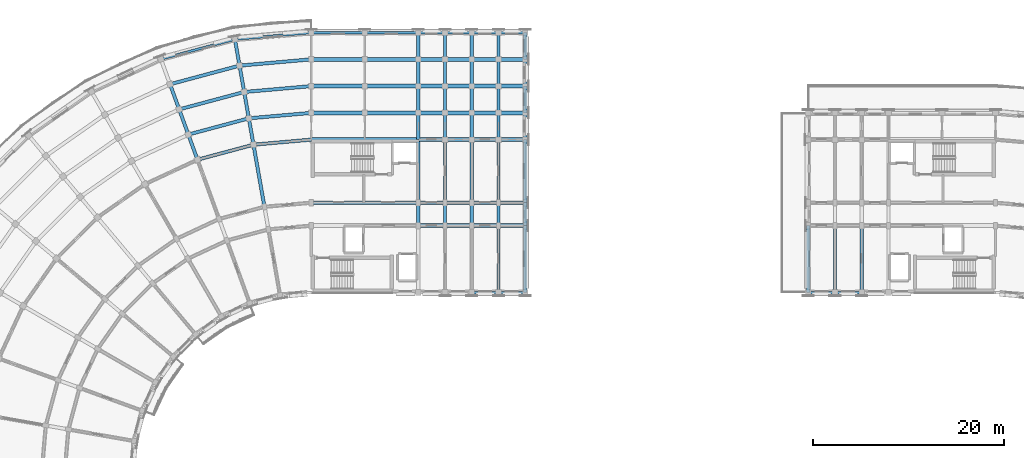
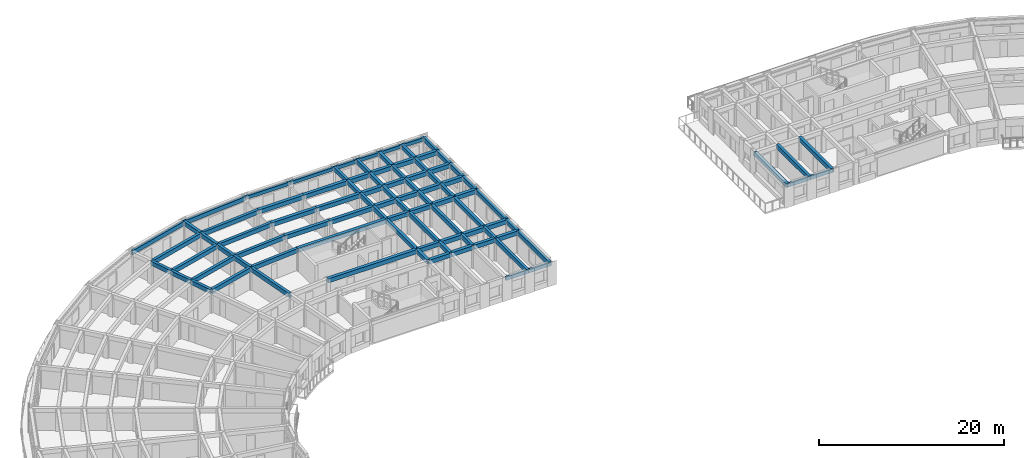
# One storey, part 5 of 36: 95 beams.
"""IFC4 building model written with IfcOpenShell, lengths in metres."""

from ifc_helpers import new_model, si_unit, direction, frame, origin, origin_2d, place, context, subcontext, project, spatial, rectangle, extrude, material, material_profile, profile_set, type_object, element, save


model = new_model("IFC4")

# Units and contexts
model_context = context("Model", 3, precision=1e-05, world=origin(), true_north=direction((0.0, 1.0)))
body_context = subcontext(model_context, "Body", "Model", "MODEL_VIEW")
ifc_project = project(units=[si_unit("LENGTHUNIT", "METRE"), si_unit("AREAUNIT", "SQUARE_METRE"), si_unit("VOLUMEUNIT", "CUBIC_METRE"), si_unit("PLANEANGLEUNIT", "RADIAN"), si_unit("MASSUNIT", "GRAM", prefix="KILO")], contexts=[model_context])

# Site, building, storey
site_placement = place(None, origin())
site = spatial("IfcSite", under=ifc_project, at=site_placement, CompositionType="ELEMENT")
building_placement = place(site_placement, origin())
building = spatial("IfcBuilding", under=site, at=building_placement, Name="Kiranvali Square Residences", CompositionType="ELEMENT")
storey_placement = place(building_placement, frame((0.0, 0.0, 37.050048828125)))
storey = spatial("IfcBuildingStorey", under=building, at=storey_placement, Name="L11", CompositionType="ELEMENT", Elevation=37.050048828125)

# Beams
ifc_material_1 = material(Name="Concrete M40 (40 MPa)", Category="concrete")
ifc_material_profile_1 = material_profile(ifc_material_1, rectangle(XDim=0.35009765625, YDim=0.550048828125, at=origin_2d()), Name="RC 350x550")
ifc_profile_set_1 = profile_set([ifc_material_profile_1], Name="Concrete M40 (40 MPa)")
beam_type_1 = type_object("IfcBeamType", Name="BM-M40-350x550", PredefinedType="BEAM", material=ifc_profile_set_1)
beam_1_placement = place(storey_placement, frame((48.199951171875, 122.60009765625, 2.655029296875), z_axis=(-0.996193018494, -0.087174938512, 0.0), x_axis=(0.087174938512, -0.996193018494, 0.0)))
element("IfcBeam", 1, at=beam_1_placement, inside=storey, type_object=beam_type_1, Name="L11 beam BM-A-L11-C00-R3", PredefinedType="BEAM", context=body_context, shape_type="SweptSolid", body=[
    extrude(rectangle(XDim=0.35009765625, YDim=0.550048828125, at=origin_2d()), origin(), (0.0, 0.0, 1.0), 6.066162109375),
])
beam_2_placement = place(storey_placement, frame((48.199951171875, 125.39990234375, 2.655029296875), z_axis=(-0.996196991902, -0.0871295204, 0.0), x_axis=(0.0871295204, -0.996196991902, 0.0)))
element("IfcBeam", 2, at=beam_2_placement, inside=storey, type_object=beam_type_1, Name="L11 beam BM-A-L11-C00-R4", PredefinedType="BEAM", context=body_context, shape_type="SweptSolid", body=[
    extrude(rectangle(XDim=0.35009765625, YDim=0.550048828125, at=origin_2d()), origin(), (0.0, 0.0, 1.0), 6.553955078125),
])
beam_3_placement = place(storey_placement, frame((48.199951171875, 128.199951171875, 2.655029296875), z_axis=(-0.996194658198, -0.087156198737, 0.0), x_axis=(0.087156198737, -0.996194658198, 0.0)))
element("IfcBeam", 3, at=beam_3_placement, inside=storey, type_object=beam_type_1, Name="L11 beam BM-A-L11-C00-R5", PredefinedType="BEAM", context=body_context, shape_type="SweptSolid", body=[
    extrude(rectangle(XDim=0.35009765625, YDim=0.550048828125, at=origin_2d()), origin(), (0.0, 0.0, 1.0), 7.042236328125),
])
beam_4_placement = place(storey_placement, frame((48.199951171875, 131.0, 2.655029296875), z_axis=(-0.996195195417, -0.087150058103, 0.0), x_axis=(0.087150058103, -0.996195195417, 0.0)))
element("IfcBeam", 4, at=beam_4_placement, inside=storey, type_object=beam_type_1, Name="L11 beam BM-A-L11-C00-R6", PredefinedType="BEAM", context=body_context, shape_type="SweptSolid", body=[
    extrude(rectangle(XDim=0.35009765625, YDim=0.550048828125, at=origin_2d()), origin(), (0.0, 0.0, 1.0), 7.530029296875),
])
beam_5_placement = place(storey_placement, frame((42.156982421875, 122.0712890625, 2.655029296875), z_axis=(-0.965923618901, -0.258827283048, 0.0), x_axis=(0.258827283048, -0.965923618901, 0.0)))
element("IfcBeam", 5, at=beam_5_placement, inside=storey, type_object=beam_type_1, Name="L11 beam BM-A-L11-C01-R3", PredefinedType="BEAM", context=body_context, shape_type="SweptSolid", body=[
    extrude(rectangle(XDim=0.35009765625, YDim=0.550048828125, at=origin_2d()), origin(), (0.0, 0.0, 1.0), 6.066162109375),
])
beam_6_placement = place(storey_placement, frame((41.6708984375, 124.828857421875, 2.655029296875), z_axis=(-0.965918287583, -0.258847178297, 0.0), x_axis=(0.258847178297, -0.965918287583, 0.0)))
element("IfcBeam", 6, at=beam_6_placement, inside=storey, type_object=beam_type_1, Name="L11 beam BM-A-L11-C01-R4", PredefinedType="BEAM", context=body_context, shape_type="SweptSolid", body=[
    extrude(rectangle(XDim=0.35009765625, YDim=0.550048828125, at=origin_2d()), origin(), (0.0, 0.0, 1.0), 6.55419921875),
])
beam_7_placement = place(storey_placement, frame((41.1845703125, 127.586181640625, 2.655029296875), z_axis=(-0.965931029817, -0.258799624492, 0.0), x_axis=(0.258799624492, -0.965931029817, 0.0)))
element("IfcBeam", 7, at=beam_7_placement, inside=storey, type_object=beam_type_1, Name="L11 beam BM-A-L11-C01-R5", PredefinedType="BEAM", context=body_context, shape_type="SweptSolid", body=[
    extrude(rectangle(XDim=0.35009765625, YDim=0.550048828125, at=origin_2d()), origin(), (0.0, 0.0, 1.0), 7.042236328125),
])
beam_8_placement = place(storey_placement, frame((40.698486328125, 130.34375, 2.655029296875), z_axis=(-0.965925909693, -0.258818733833, 0.0), x_axis=(0.258818733833, -0.965925909693, 0.0)))
element("IfcBeam", 8, at=beam_8_placement, inside=storey, type_object=beam_type_1, Name="L11 beam BM-A-L11-C01-R6", PredefinedType="BEAM", context=body_context, shape_type="SweptSolid", body=[
    extrude(rectangle(XDim=0.35009765625, YDim=0.550048828125, at=origin_2d()), origin(), (0.0, 0.0, 1.0), 7.5302734375),
])
beam_9_placement = place(storey_placement, frame((43.30322265625, 115.571533203125, 2.655029296875), z_axis=(-0.173671381499, 0.984803661269, 0.0), x_axis=(-0.984803661269, -0.173671381499, 0.0)))
element("IfcBeam", 9, at=beam_9_placement, inside=storey, type_object=beam_type_1, Name="L11 beam BM-A-L11-RAD01-23", PredefinedType="BEAM", context=body_context, shape_type="SweptSolid", body=[
    extrude(rectangle(XDim=0.35009765625, YDim=0.550048828125, at=origin_2d()), origin(), (0.0, 0.0, 1.0), 6.60009765625),
])
beam_10_placement = place(storey_placement, frame((42.156982421875, 122.0712890625, 2.655029296875), z_axis=(-0.173596320392, 0.984816895441, 0.0), x_axis=(-0.984816895441, -0.173596320392, 0.0)))
element("IfcBeam", 10, at=beam_10_placement, inside=storey, type_object=beam_type_1, Name="L11 beam BM-A-L11-RAD01-34", PredefinedType="BEAM", context=body_context, shape_type="SweptSolid", body=[
    extrude(rectangle(XDim=0.35009765625, YDim=0.550048828125, at=origin_2d()), origin(), (0.0, 0.0, 1.0), 2.800048828125),
])
beam_11_placement = place(storey_placement, frame((41.6708984375, 124.828857421875, 2.655029296875), z_axis=(-0.173695795656, 0.984799355489, 0.0), x_axis=(-0.984799355489, -0.173695795656, 0.0)))
element("IfcBeam", 11, at=beam_11_placement, inside=storey, type_object=beam_type_1, Name="L11 beam BM-A-L11-RAD01-45", PredefinedType="BEAM", context=body_context, shape_type="SweptSolid", body=[
    extrude(rectangle(XDim=0.35009765625, YDim=0.550048828125, at=origin_2d()), origin(), (0.0, 0.0, 1.0), 2.7998046875),
])
beam_12_placement = place(storey_placement, frame((41.1845703125, 127.586181640625, 2.655029296875), z_axis=(-0.173596320392, 0.984816895441, 0.0), x_axis=(-0.984816895441, -0.173596320392, 0.0)))
element("IfcBeam", 12, at=beam_12_placement, inside=storey, type_object=beam_type_1, Name="L11 beam BM-A-L11-RAD01-56", PredefinedType="BEAM", context=body_context, shape_type="SweptSolid", body=[
    extrude(rectangle(XDim=0.35009765625, YDim=0.550048828125, at=origin_2d()), origin(), (0.0, 0.0, 1.0), 2.800048828125),
])
for number, where, z_axis, x_axis, name in (
    (13, (40.698486328125, 130.34375, 2.695068359375), (-0.173695795656, 0.984799355489, 0.0), (-0.984799355489, -0.173695795656, 0.0), "L11 beam BM-A-L11-RAD01-67"),
    (14, (36.297607421875, 120.501220703125, 2.655029296875), (-0.341981089711, 0.93970683422, 0.0), (-0.93970683422, -0.341981089711, 0.0), "L11 beam BM-A-L11-RAD02-34"),
):
    element("IfcBeam", number, at=place(storey_placement, frame(where, z_axis=z_axis, x_axis=x_axis)), inside=storey, type_object=beam_type_1, Name=name, PredefinedType="BEAM", context=body_context, shape_type="SweptSolid", body=[
        extrude(rectangle(XDim=0.35009765625, YDim=0.550048828125, at=origin_2d()), origin(), (0.0, 0.0, 1.0), 2.7998046875),
    ])
beam_13_placement = place(storey_placement, frame((35.340087890625, 123.13232421875, 2.655029296875), z_axis=(-0.342030060398, 0.939689011208, 0.0), x_axis=(-0.939689011208, -0.342030060398, 0.0)))
element("IfcBeam", 15, at=beam_13_placement, inside=storey, type_object=beam_type_1, Name="L11 beam BM-A-L11-RAD02-45", PredefinedType="BEAM", context=body_context, shape_type="SweptSolid", body=[
    extrude(rectangle(XDim=0.35009765625, YDim=0.550048828125, at=origin_2d()), origin(), (0.0, 0.0, 1.0), 2.80029296875),
])
beam_14_placement = place(storey_placement, frame((34.38232421875, 125.763671875, 2.655029296875), z_axis=(-0.341981089711, 0.93970683422, 0.0), x_axis=(-0.93970683422, -0.341981089711, 0.0)))
element("IfcBeam", 16, at=beam_14_placement, inside=storey, type_object=beam_type_1, Name="L11 beam BM-A-L11-RAD02-56", PredefinedType="BEAM", context=body_context, shape_type="SweptSolid", body=[
    extrude(rectangle(XDim=0.35009765625, YDim=0.550048828125, at=origin_2d()), origin(), (0.0, 0.0, 1.0), 2.7998046875),
])
beam_15_placement = place(storey_placement, frame((59.39990234375, 113.60009765625, 2.655029296875), z_axis=(0.0, 1.0, 0.0), x_axis=(-1.0, 0.0, 0.0)))
element("IfcBeam", 17, at=beam_15_placement, inside=storey, type_object=beam_type_1, Name="L11 beam BM-A-L11-A1T1-12", PredefinedType="BEAM", context=body_context, shape_type="SweptSolid", body=[
    extrude(rectangle(XDim=0.35009765625, YDim=0.550048828125, at=origin_2d()), origin(), (0.0, 0.0, 1.0), 2.39990234375),
])
beam_16_placement = place(storey_placement, frame((59.39990234375, 116.0, 2.655029296875), z_axis=(0.0, 1.0, 0.0), x_axis=(-1.0, 0.0, 0.0)))
element("IfcBeam", 18, at=beam_16_placement, inside=storey, type_object=beam_type_1, Name="L11 beam BM-A-L11-A1T1-23", PredefinedType="BEAM", context=body_context, shape_type="SweptSolid", body=[
    extrude(rectangle(XDim=0.35009765625, YDim=0.550048828125, at=origin_2d()), origin(), (0.0, 0.0, 1.0), 6.60009765625),
])
beam_17_placement = place(storey_placement, frame((59.39990234375, 122.60009765625, 2.655029296875), z_axis=(0.0, 1.0, 0.0), x_axis=(-1.0, 0.0, 0.0)))
element("IfcBeam", 19, at=beam_17_placement, inside=storey, type_object=beam_type_1, Name="L11 beam BM-A-L11-A1T1-34", PredefinedType="BEAM", context=body_context, shape_type="SweptSolid", body=[
    extrude(rectangle(XDim=0.35009765625, YDim=0.550048828125, at=origin_2d()), origin(), (0.0, 0.0, 1.0), 2.7998046875),
])
for number, where, z_axis, x_axis, name in (
    (20, (59.39990234375, 125.39990234375, 2.655029296875), (0.0, 1.0, 0.0), (-1.0, 0.0, 0.0), "L11 beam BM-A-L11-A1T1-45"),
    (21, (59.39990234375, 128.199951171875, 2.655029296875), (0.0, 1.0, 0.0), (-1.0, 0.0, 0.0), "L11 beam BM-A-L11-A1T1-56"),
    (22, (59.39990234375, 131.0, 2.695068359375), (0.0, 1.0, 0.0), (-1.0, 0.0, 0.0), "L11 beam BM-A-L11-A1T1-67"),
):
    element("IfcBeam", number, at=place(storey_placement, frame(where, z_axis=z_axis, x_axis=x_axis)), inside=storey, type_object=beam_type_1, Name=name, PredefinedType="BEAM", context=body_context, shape_type="SweptSolid", body=[
        extrude(rectangle(XDim=0.35009765625, YDim=0.550048828125, at=origin_2d()), origin(), (0.0, 0.0, 1.0), 2.800048828125),
    ])
beam_18_placement = place(storey_placement, frame((62.199951171875, 113.60009765625, 2.655029296875), z_axis=(0.0, 1.0, 0.0), x_axis=(-1.0, 0.0, 0.0)))
element("IfcBeam", 23, at=beam_18_placement, inside=storey, type_object=beam_type_1, Name="L11 beam BM-A-L11-A1T2-12", PredefinedType="BEAM", context=body_context, shape_type="SweptSolid", body=[
    extrude(rectangle(XDim=0.35009765625, YDim=0.550048828125, at=origin_2d()), origin(), (0.0, 0.0, 1.0), 2.39990234375),
])
beam_19_placement = place(storey_placement, frame((62.199951171875, 116.0, 2.655029296875), z_axis=(0.0, 1.0, 0.0), x_axis=(-1.0, 0.0, 0.0)))
element("IfcBeam", 24, at=beam_19_placement, inside=storey, type_object=beam_type_1, Name="L11 beam BM-A-L11-A1T2-23", PredefinedType="BEAM", context=body_context, shape_type="SweptSolid", body=[
    extrude(rectangle(XDim=0.35009765625, YDim=0.550048828125, at=origin_2d()), origin(), (0.0, 0.0, 1.0), 6.60009765625),
])
beam_20_placement = place(storey_placement, frame((62.199951171875, 122.60009765625, 2.655029296875), z_axis=(0.0, 1.0, 0.0), x_axis=(-1.0, 0.0, 0.0)))
element("IfcBeam", 25, at=beam_20_placement, inside=storey, type_object=beam_type_1, Name="L11 beam BM-A-L11-A1T2-34", PredefinedType="BEAM", context=body_context, shape_type="SweptSolid", body=[
    extrude(rectangle(XDim=0.35009765625, YDim=0.550048828125, at=origin_2d()), origin(), (0.0, 0.0, 1.0), 2.7998046875),
])
for number, where, z_axis, x_axis, name in (
    (26, (62.199951171875, 125.39990234375, 2.655029296875), (0.0, 1.0, 0.0), (-1.0, 0.0, 0.0), "L11 beam BM-A-L11-A1T2-45"),
    (27, (62.199951171875, 128.199951171875, 2.655029296875), (0.0, 1.0, 0.0), (-1.0, 0.0, 0.0), "L11 beam BM-A-L11-A1T2-56"),
    (28, (62.199951171875, 131.0, 2.695068359375), (0.0, 1.0, 0.0), (-1.0, 0.0, 0.0), "L11 beam BM-A-L11-A1T2-67"),
):
    element("IfcBeam", number, at=place(storey_placement, frame(where, z_axis=z_axis, x_axis=x_axis)), inside=storey, type_object=beam_type_1, Name=name, PredefinedType="BEAM", context=body_context, shape_type="SweptSolid", body=[
        extrude(rectangle(XDim=0.35009765625, YDim=0.550048828125, at=origin_2d()), origin(), (0.0, 0.0, 1.0), 2.800048828125),
    ])
beam_21_placement = place(storey_placement, frame((65.0, 113.60009765625, 2.655029296875), z_axis=(0.0, 1.0, 0.0), x_axis=(-1.0, 0.0, 0.0)))
element("IfcBeam", 29, at=beam_21_placement, inside=storey, type_object=beam_type_1, Name="L11 beam BM-A-L11-A1T3-12", PredefinedType="BEAM", context=body_context, shape_type="SweptSolid", body=[
    extrude(rectangle(XDim=0.35009765625, YDim=0.550048828125, at=origin_2d()), origin(), (0.0, 0.0, 1.0), 2.39990234375),
])
beam_22_placement = place(storey_placement, frame((65.0, 116.0, 2.655029296875), z_axis=(0.0, 1.0, 0.0), x_axis=(-1.0, 0.0, 0.0)))
element("IfcBeam", 30, at=beam_22_placement, inside=storey, type_object=beam_type_1, Name="L11 beam BM-A-L11-A1T3-23", PredefinedType="BEAM", context=body_context, shape_type="SweptSolid", body=[
    extrude(rectangle(XDim=0.35009765625, YDim=0.550048828125, at=origin_2d()), origin(), (0.0, 0.0, 1.0), 6.60009765625),
])
beam_23_placement = place(storey_placement, frame((65.0, 122.60009765625, 2.655029296875), z_axis=(0.0, 1.0, 0.0), x_axis=(-1.0, 0.0, 0.0)))
element("IfcBeam", 31, at=beam_23_placement, inside=storey, type_object=beam_type_1, Name="L11 beam BM-A-L11-A1T3-34", PredefinedType="BEAM", context=body_context, shape_type="SweptSolid", body=[
    extrude(rectangle(XDim=0.35009765625, YDim=0.550048828125, at=origin_2d()), origin(), (0.0, 0.0, 1.0), 2.7998046875),
])
for number, where, z_axis, x_axis, name in (
    (32, (65.0, 125.39990234375, 2.655029296875), (0.0, 1.0, 0.0), (-1.0, 0.0, 0.0), "L11 beam BM-A-L11-A1T3-45"),
    (33, (65.0, 128.199951171875, 2.655029296875), (0.0, 1.0, 0.0), (-1.0, 0.0, 0.0), "L11 beam BM-A-L11-A1T3-56"),
    (34, (65.0, 131.0, 2.695068359375), (0.0, 1.0, 0.0), (-1.0, 0.0, 0.0), "L11 beam BM-A-L11-A1T3-67"),
):
    element("IfcBeam", number, at=place(storey_placement, frame(where, z_axis=z_axis, x_axis=x_axis)), inside=storey, type_object=beam_type_1, Name=name, PredefinedType="BEAM", context=body_context, shape_type="SweptSolid", body=[
        extrude(rectangle(XDim=0.35009765625, YDim=0.550048828125, at=origin_2d()), origin(), (0.0, 0.0, 1.0), 2.800048828125),
    ])
beam_24_placement = place(storey_placement, frame((67.800048828125, 106.60009765625, 2.655029296875), z_axis=(0.0, 1.0, 0.0), x_axis=(-1.0, 0.0, 0.0)))
element("IfcBeam", 35, at=beam_24_placement, inside=storey, type_object=beam_type_1, Name="L11 beam BM-A-L11-A1T4-01", PredefinedType="BEAM", context=body_context, shape_type="SweptSolid", body=[
    extrude(rectangle(XDim=0.35009765625, YDim=0.550048828125, at=origin_2d()), origin(), (0.0, 0.0, 1.0), 7.0),
])
beam_25_placement = place(storey_placement, frame((67.800048828125, 113.60009765625, 2.655029296875), z_axis=(0.0, 1.0, 0.0), x_axis=(-1.0, 0.0, 0.0)))
element("IfcBeam", 36, at=beam_25_placement, inside=storey, type_object=beam_type_1, Name="L11 beam BM-A-L11-A1T4-12", PredefinedType="BEAM", context=body_context, shape_type="SweptSolid", body=[
    extrude(rectangle(XDim=0.35009765625, YDim=0.550048828125, at=origin_2d()), origin(), (0.0, 0.0, 1.0), 2.39990234375),
])
beam_26_placement = place(storey_placement, frame((67.800048828125, 116.0, 2.655029296875), z_axis=(0.0, 1.0, 0.0), x_axis=(-1.0, 0.0, 0.0)))
element("IfcBeam", 37, at=beam_26_placement, inside=storey, type_object=beam_type_1, Name="L11 beam BM-A-L11-A1T4-23", PredefinedType="BEAM", context=body_context, shape_type="SweptSolid", body=[
    extrude(rectangle(XDim=0.35009765625, YDim=0.550048828125, at=origin_2d()), origin(), (0.0, 0.0, 1.0), 6.60009765625),
])
beam_27_placement = place(storey_placement, frame((67.800048828125, 122.60009765625, 2.655029296875), z_axis=(0.0, 1.0, 0.0), x_axis=(-1.0, 0.0, 0.0)))
element("IfcBeam", 38, at=beam_27_placement, inside=storey, type_object=beam_type_1, Name="L11 beam BM-A-L11-A1T4-34", PredefinedType="BEAM", context=body_context, shape_type="SweptSolid", body=[
    extrude(rectangle(XDim=0.35009765625, YDim=0.550048828125, at=origin_2d()), origin(), (0.0, 0.0, 1.0), 2.7998046875),
])
for number, where, z_axis, x_axis, name in (
    (39, (67.800048828125, 125.39990234375, 2.655029296875), (0.0, 1.0, 0.0), (-1.0, 0.0, 0.0), "L11 beam BM-A-L11-A1T4-45"),
    (40, (67.800048828125, 128.199951171875, 2.655029296875), (0.0, 1.0, 0.0), (-1.0, 0.0, 0.0), "L11 beam BM-A-L11-A1T4-56"),
    (41, (67.800048828125, 131.0, 2.695068359375), (0.0, 1.0, 0.0), (-1.0, 0.0, 0.0), "L11 beam BM-A-L11-A1T4-67"),
):
    element("IfcBeam", number, at=place(storey_placement, frame(where, z_axis=z_axis, x_axis=x_axis)), inside=storey, type_object=beam_type_1, Name=name, PredefinedType="BEAM", context=body_context, shape_type="SweptSolid", body=[
        extrude(rectangle(XDim=0.35009765625, YDim=0.550048828125, at=origin_2d()), origin(), (0.0, 0.0, 1.0), 2.800048828125),
    ])
beam_28_placement = place(storey_placement, frame((70.60009765625, 106.60009765625, 2.655029296875), z_axis=(0.0, 1.0, 0.0), x_axis=(-1.0, 0.0, 0.0)))
element("IfcBeam", 42, at=beam_28_placement, inside=storey, type_object=beam_type_1, Name="L11 beam BM-A-L11-A1T5-01", PredefinedType="BEAM", context=body_context, shape_type="SweptSolid", body=[
    extrude(rectangle(XDim=0.35009765625, YDim=0.550048828125, at=origin_2d()), origin(), (0.0, 0.0, 1.0), 7.0),
])
beam_29_placement = place(storey_placement, frame((70.60009765625, 113.60009765625, 2.655029296875), z_axis=(0.0, 1.0, 0.0), x_axis=(-1.0, 0.0, 0.0)))
element("IfcBeam", 43, at=beam_29_placement, inside=storey, type_object=beam_type_1, Name="L11 beam BM-A-L11-A1T5-12", PredefinedType="BEAM", context=body_context, shape_type="SweptSolid", body=[
    extrude(rectangle(XDim=0.35009765625, YDim=0.550048828125, at=origin_2d()), origin(), (0.0, 0.0, 1.0), 2.39990234375),
])
beam_30_placement = place(storey_placement, frame((70.60009765625, 116.0, 2.655029296875), z_axis=(0.0, 1.0, 0.0), x_axis=(-1.0, 0.0, 0.0)))
element("IfcBeam", 44, at=beam_30_placement, inside=storey, type_object=beam_type_1, Name="L11 beam BM-A-L11-A1T5-23", PredefinedType="BEAM", context=body_context, shape_type="SweptSolid", body=[
    extrude(rectangle(XDim=0.35009765625, YDim=0.550048828125, at=origin_2d()), origin(), (0.0, 0.0, 1.0), 6.60009765625),
])
beam_31_placement = place(storey_placement, frame((70.60009765625, 122.60009765625, 2.655029296875), z_axis=(0.0, 1.0, 0.0), x_axis=(-1.0, 0.0, 0.0)))
element("IfcBeam", 45, at=beam_31_placement, inside=storey, type_object=beam_type_1, Name="L11 beam BM-A-L11-A1T5-34", PredefinedType="BEAM", context=body_context, shape_type="SweptSolid", body=[
    extrude(rectangle(XDim=0.35009765625, YDim=0.550048828125, at=origin_2d()), origin(), (0.0, 0.0, 1.0), 2.7998046875),
])
for number, where, z_axis, x_axis, name in (
    (46, (70.60009765625, 125.39990234375, 2.655029296875), (0.0, 1.0, 0.0), (-1.0, 0.0, 0.0), "L11 beam BM-A-L11-A1T5-45"),
    (47, (70.60009765625, 128.199951171875, 2.655029296875), (0.0, 1.0, 0.0), (-1.0, 0.0, 0.0), "L11 beam BM-A-L11-A1T5-56"),
    (48, (70.60009765625, 131.0, 2.695068359375), (0.0, 1.0, 0.0), (-1.0, 0.0, 0.0), "L11 beam BM-A-L11-A1T5-67"),
):
    element("IfcBeam", number, at=place(storey_placement, frame(where, z_axis=z_axis, x_axis=x_axis)), inside=storey, type_object=beam_type_1, Name=name, PredefinedType="BEAM", context=body_context, shape_type="SweptSolid", body=[
        extrude(rectangle(XDim=0.35009765625, YDim=0.550048828125, at=origin_2d()), origin(), (0.0, 0.0, 1.0), 2.800048828125),
    ])
for number, where, z_axis, x_axis, name in (
    (49, (105.800048828125, 106.60009765625, 2.655029296875), (0.0, 1.0, 0.0), (-1.0, 0.0, 0.0), "L11 beam BM-B-L11-A1T2-01"),
    (50, (103.0, 106.60009765625, 2.655029296875), (0.0, 1.0, 0.0), (-1.0, 0.0, 0.0), "L11 beam BM-B-L11-A1T3-01"),
    (51, (100.199951171875, 106.60009765625, 2.655029296875), (0.0, 1.0, 0.0), (-1.0, 0.0, 0.0), "L11 beam BM-B-L11-A1T4-01"),
):
    element("IfcBeam", number, at=place(storey_placement, frame(where, z_axis=z_axis, x_axis=x_axis)), inside=storey, type_object=beam_type_1, Name=name, PredefinedType="BEAM", context=body_context, shape_type="SweptSolid", body=[
        extrude(rectangle(XDim=0.35009765625, YDim=0.550048828125, at=origin_2d()), origin(), (0.0, 0.0, 1.0), 7.0),
    ])
ifc_material_2 = material(Name="Concrete M45 (45 MPa)", Category="concrete")
ifc_material_profile_2 = material_profile(ifc_material_2, rectangle(XDim=0.39990234375, YDim=0.550048828125, at=origin_2d()), Name="RC 400x550")
ifc_profile_set_2 = profile_set([ifc_material_profile_2], Name="Concrete M45 (45 MPa)")
beam_type_2 = type_object("IfcBeamType", Name="BM-M45-400x550", PredefinedType="BEAM", material=ifc_profile_set_2)
for number, where, z_axis, x_axis, name in (
    (52, (59.39990234375, 113.60009765625, 2.655029296875), (1.0, 0.0, 0.0), (0.0, 1.0, 0.0), "L11 beam BM-A-L11-A1U1-R1"),
    (53, (62.199951171875, 113.60009765625, 2.655029296875), (1.0, 0.0, 0.0), (0.0, 1.0, 0.0), "L11 beam BM-A-L11-A1U2-R1"),
    (54, (65.0, 113.60009765625, 2.655029296875), (1.0, 0.0, 0.0), (0.0, 1.0, 0.0), "L11 beam BM-A-L11-A1U3-R1"),
    (55, (67.800048828125, 113.60009765625, 2.655029296875), (1.0, 0.0, 0.0), (0.0, 1.0, 0.0), "L11 beam BM-A-L11-A1U4-R1"),
):
    element("IfcBeam", number, at=place(storey_placement, frame(where, z_axis=z_axis, x_axis=x_axis)), inside=storey, type_object=beam_type_2, Name=name, PredefinedType="BEAM", context=body_context, shape_type="SweptSolid", body=[
        extrude(rectangle(XDim=0.39990234375, YDim=0.550048828125, at=origin_2d()), origin(), (0.0, 0.0, 1.0), 2.800048828125),
    ])
beam_32_placement = place(storey_placement, frame((48.199951171875, 116.0, 2.655029296875), z_axis=(1.0, 0.0, 0.0), x_axis=(0.0, 1.0, 0.0)))
element("IfcBeam", 56, at=beam_32_placement, inside=storey, type_object=beam_type_2, Name="L11 beam BM-A-L11-A1U0-R2", PredefinedType="BEAM", context=body_context, shape_type="SweptSolid", body=[
    extrude(rectangle(XDim=0.39990234375, YDim=0.550048828125, at=origin_2d()), origin(), (0.0, 0.0, 1.0), 11.199951171875),
])
for number, where, z_axis, x_axis, name in (
    (57, (59.39990234375, 116.0, 2.655029296875), (1.0, 0.0, 0.0), (0.0, 1.0, 0.0), "L11 beam BM-A-L11-A1U1-R2"),
    (58, (62.199951171875, 116.0, 2.655029296875), (1.0, 0.0, 0.0), (0.0, 1.0, 0.0), "L11 beam BM-A-L11-A1U2-R2"),
    (59, (65.0, 116.0, 2.655029296875), (1.0, 0.0, 0.0), (0.0, 1.0, 0.0), "L11 beam BM-A-L11-A1U3-R2"),
    (60, (67.800048828125, 116.0, 2.655029296875), (1.0, 0.0, 0.0), (0.0, 1.0, 0.0), "L11 beam BM-A-L11-A1U4-R2"),
):
    element("IfcBeam", number, at=place(storey_placement, frame(where, z_axis=z_axis, x_axis=x_axis)), inside=storey, type_object=beam_type_2, Name=name, PredefinedType="BEAM", context=body_context, shape_type="SweptSolid", body=[
        extrude(rectangle(XDim=0.39990234375, YDim=0.550048828125, at=origin_2d()), origin(), (0.0, 0.0, 1.0), 2.800048828125),
    ])
beam_33_placement = place(storey_placement, frame((48.199951171875, 122.60009765625, 2.655029296875), z_axis=(1.0, 0.0, 0.0), x_axis=(0.0, 1.0, 0.0)))
element("IfcBeam", 61, at=beam_33_placement, inside=storey, type_object=beam_type_2, Name="L11 beam BM-A-L11-A1U0-R3", PredefinedType="BEAM", context=body_context, shape_type="SweptSolid", body=[
    extrude(rectangle(XDim=0.39990234375, YDim=0.550048828125, at=origin_2d()), origin(), (0.0, 0.0, 1.0), 11.199951171875),
])
for number, where, z_axis, x_axis, name in (
    (62, (59.39990234375, 122.60009765625, 2.655029296875), (1.0, 0.0, 0.0), (0.0, 1.0, 0.0), "L11 beam BM-A-L11-A1U1-R3"),
    (63, (62.199951171875, 122.60009765625, 2.655029296875), (1.0, 0.0, 0.0), (0.0, 1.0, 0.0), "L11 beam BM-A-L11-A1U2-R3"),
    (64, (65.0, 122.60009765625, 2.655029296875), (1.0, 0.0, 0.0), (0.0, 1.0, 0.0), "L11 beam BM-A-L11-A1U3-R3"),
    (65, (67.800048828125, 122.60009765625, 2.655029296875), (1.0, 0.0, 0.0), (0.0, 1.0, 0.0), "L11 beam BM-A-L11-A1U4-R3"),
):
    element("IfcBeam", number, at=place(storey_placement, frame(where, z_axis=z_axis, x_axis=x_axis)), inside=storey, type_object=beam_type_2, Name=name, PredefinedType="BEAM", context=body_context, shape_type="SweptSolid", body=[
        extrude(rectangle(XDim=0.39990234375, YDim=0.550048828125, at=origin_2d()), origin(), (0.0, 0.0, 1.0), 2.800048828125),
    ])
beam_34_placement = place(storey_placement, frame((48.199951171875, 125.39990234375, 2.655029296875), z_axis=(1.0, 0.0, 0.0), x_axis=(0.0, 1.0, 0.0)))
element("IfcBeam", 66, at=beam_34_placement, inside=storey, type_object=beam_type_2, Name="L11 beam BM-A-L11-A1U0-R4", PredefinedType="BEAM", context=body_context, shape_type="SweptSolid", body=[
    extrude(rectangle(XDim=0.39990234375, YDim=0.550048828125, at=origin_2d()), origin(), (0.0, 0.0, 1.0), 5.60009765625),
])
beam_35_placement = place(storey_placement, frame((53.800048828125, 125.39990234375, 2.655029296875), z_axis=(1.0, 0.0, 0.0), x_axis=(0.0, 1.0, 0.0)))
element("IfcBeam", 67, at=beam_35_placement, inside=storey, type_object=beam_type_2, Name="L11 beam BM-A-L11-A1U1-R4", PredefinedType="BEAM", context=body_context, shape_type="SweptSolid", body=[
    extrude(rectangle(XDim=0.39990234375, YDim=0.550048828125, at=origin_2d()), origin(), (0.0, 0.0, 1.0), 5.599853515625),
])
for number, where, z_axis, x_axis, name in (
    (68, (59.39990234375, 125.39990234375, 2.655029296875), (1.0, 0.0, 0.0), (0.0, 1.0, 0.0), "L11 beam BM-A-L11-A1U2-R4"),
    (69, (62.199951171875, 125.39990234375, 2.655029296875), (1.0, 0.0, 0.0), (0.0, 1.0, 0.0), "L11 beam BM-A-L11-A1U3-R4"),
    (70, (65.0, 125.39990234375, 2.655029296875), (1.0, 0.0, 0.0), (0.0, 1.0, 0.0), "L11 beam BM-A-L11-A1U4-R4"),
    (71, (67.800048828125, 125.39990234375, 2.655029296875), (1.0, 0.0, 0.0), (0.0, 1.0, 0.0), "L11 beam BM-A-L11-A1U5-R4"),
):
    element("IfcBeam", number, at=place(storey_placement, frame(where, z_axis=z_axis, x_axis=x_axis)), inside=storey, type_object=beam_type_2, Name=name, PredefinedType="BEAM", context=body_context, shape_type="SweptSolid", body=[
        extrude(rectangle(XDim=0.39990234375, YDim=0.550048828125, at=origin_2d()), origin(), (0.0, 0.0, 1.0), 2.800048828125),
    ])
beam_36_placement = place(storey_placement, frame((48.199951171875, 128.199951171875, 2.655029296875), z_axis=(1.0, 0.0, 0.0), x_axis=(0.0, 1.0, 0.0)))
element("IfcBeam", 72, at=beam_36_placement, inside=storey, type_object=beam_type_2, Name="L11 beam BM-A-L11-A1U0-R5", PredefinedType="BEAM", context=body_context, shape_type="SweptSolid", body=[
    extrude(rectangle(XDim=0.39990234375, YDim=0.550048828125, at=origin_2d()), origin(), (0.0, 0.0, 1.0), 5.60009765625),
])
beam_37_placement = place(storey_placement, frame((53.800048828125, 128.199951171875, 2.655029296875), z_axis=(1.0, 0.0, 0.0), x_axis=(0.0, 1.0, 0.0)))
element("IfcBeam", 73, at=beam_37_placement, inside=storey, type_object=beam_type_2, Name="L11 beam BM-A-L11-A1U1-R5", PredefinedType="BEAM", context=body_context, shape_type="SweptSolid", body=[
    extrude(rectangle(XDim=0.39990234375, YDim=0.550048828125, at=origin_2d()), origin(), (0.0, 0.0, 1.0), 5.599853515625),
])
for number, where, z_axis, x_axis, name in (
    (74, (59.39990234375, 128.199951171875, 2.655029296875), (1.0, 0.0, 0.0), (0.0, 1.0, 0.0), "L11 beam BM-A-L11-A1U2-R5"),
    (75, (62.199951171875, 128.199951171875, 2.655029296875), (1.0, 0.0, 0.0), (0.0, 1.0, 0.0), "L11 beam BM-A-L11-A1U3-R5"),
    (76, (65.0, 128.199951171875, 2.655029296875), (1.0, 0.0, 0.0), (0.0, 1.0, 0.0), "L11 beam BM-A-L11-A1U4-R5"),
    (77, (67.800048828125, 128.199951171875, 2.655029296875), (1.0, 0.0, 0.0), (0.0, 1.0, 0.0), "L11 beam BM-A-L11-A1U5-R5"),
):
    element("IfcBeam", number, at=place(storey_placement, frame(where, z_axis=z_axis, x_axis=x_axis)), inside=storey, type_object=beam_type_2, Name=name, PredefinedType="BEAM", context=body_context, shape_type="SweptSolid", body=[
        extrude(rectangle(XDim=0.39990234375, YDim=0.550048828125, at=origin_2d()), origin(), (0.0, 0.0, 1.0), 2.800048828125),
    ])
beam_38_placement = place(storey_placement, frame((48.199951171875, 131.0, 2.655029296875), z_axis=(1.0, 0.0, 0.0), x_axis=(0.0, 1.0, 0.0)))
element("IfcBeam", 78, at=beam_38_placement, inside=storey, type_object=beam_type_2, Name="L11 beam BM-A-L11-A1U0-R6", PredefinedType="BEAM", context=body_context, shape_type="SweptSolid", body=[
    extrude(rectangle(XDim=0.39990234375, YDim=0.550048828125, at=origin_2d()), origin(), (0.0, 0.0, 1.0), 5.60009765625),
])
beam_39_placement = place(storey_placement, frame((53.800048828125, 131.0, 2.655029296875), z_axis=(1.0, 0.0, 0.0), x_axis=(0.0, 1.0, 0.0)))
element("IfcBeam", 79, at=beam_39_placement, inside=storey, type_object=beam_type_2, Name="L11 beam BM-A-L11-A1U1-R6", PredefinedType="BEAM", context=body_context, shape_type="SweptSolid", body=[
    extrude(rectangle(XDim=0.39990234375, YDim=0.550048828125, at=origin_2d()), origin(), (0.0, 0.0, 1.0), 5.599853515625),
])
for number, where, z_axis, x_axis, name in (
    (80, (59.39990234375, 131.0, 2.655029296875), (1.0, 0.0, 0.0), (0.0, 1.0, 0.0), "L11 beam BM-A-L11-A1U2-R6"),
    (81, (62.199951171875, 131.0, 2.655029296875), (1.0, 0.0, 0.0), (0.0, 1.0, 0.0), "L11 beam BM-A-L11-A1U3-R6"),
    (82, (65.0, 131.0, 2.655029296875), (1.0, 0.0, 0.0), (0.0, 1.0, 0.0), "L11 beam BM-A-L11-A1U4-R6"),
    (83, (67.800048828125, 131.0, 2.655029296875), (1.0, 0.0, 0.0), (0.0, 1.0, 0.0), "L11 beam BM-A-L11-A1U5-R6"),
):
    element("IfcBeam", number, at=place(storey_placement, frame(where, z_axis=z_axis, x_axis=x_axis)), inside=storey, type_object=beam_type_2, Name=name, PredefinedType="BEAM", context=body_context, shape_type="SweptSolid", body=[
        extrude(rectangle(XDim=0.39990234375, YDim=0.550048828125, at=origin_2d()), origin(), (0.0, 0.0, 1.0), 2.800048828125),
    ])
ifc_material_profile_3 = material_profile(ifc_material_1, rectangle(XDim=0.25, YDim=0.449951171875, at=origin_2d()), Name="RC 250x450")
ifc_profile_set_3 = profile_set([ifc_material_profile_3], Name="Concrete M40 (40 MPa)")
beam_type_3 = type_object("IfcBeamType", Name="SPN-M40-250x450", PredefinedType="SPANDREL", material=ifc_profile_set_3)
for number, where, z_axis, x_axis, name in (
    (84, (65.0, 106.60009765625, 2.704833984375), (1.0, 0.0, 0.0), (0.0, 1.0, 0.0), "L11 beam BM-A-L11-A1U3-R0"),
    (85, (67.800048828125, 106.60009765625, 2.704833984375), (1.0, 0.0, 0.0), (0.0, 1.0, 0.0), "L11 beam BM-A-L11-A1U4-R0"),
):
    element("IfcBeam", number, at=place(storey_placement, frame(where, z_axis=z_axis, x_axis=x_axis)), inside=storey, type_object=beam_type_3, Name=name, PredefinedType="SPANDREL", context=body_context, shape_type="SweptSolid", body=[
        extrude(rectangle(XDim=0.25, YDim=0.449951171875, at=origin_2d()), origin(), (0.0, 0.0, 1.0), 2.800048828125),
    ])
beam_40_placement = place(storey_placement, frame((48.199951171875, 133.800048828125, 2.744873046875), z_axis=(1.0, 0.0, 0.0), x_axis=(0.0, 1.0, 0.0)))
element("IfcBeam", 86, at=beam_40_placement, inside=storey, type_object=beam_type_3, Name="L11 beam BM-A-L11-A1U0-R7", PredefinedType="SPANDREL", context=body_context, shape_type="SweptSolid", body=[
    extrude(rectangle(XDim=0.25, YDim=0.449951171875, at=origin_2d()), origin(), (0.0, 0.0, 1.0), 5.60009765625),
])
beam_41_placement = place(storey_placement, frame((53.800048828125, 133.800048828125, 2.744873046875), z_axis=(1.0, 0.0, 0.0), x_axis=(0.0, 1.0, 0.0)))
element("IfcBeam", 87, at=beam_41_placement, inside=storey, type_object=beam_type_3, Name="L11 beam BM-A-L11-A1U1-R7", PredefinedType="SPANDREL", context=body_context, shape_type="SweptSolid", body=[
    extrude(rectangle(XDim=0.25, YDim=0.449951171875, at=origin_2d()), origin(), (0.0, 0.0, 1.0), 5.599853515625),
])
for number, where, z_axis, x_axis, name in (
    (88, (59.39990234375, 133.800048828125, 2.744873046875), (1.0, 0.0, 0.0), (0.0, 1.0, 0.0), "L11 beam BM-A-L11-A1U2-R7"),
    (89, (62.199951171875, 133.800048828125, 2.744873046875), (1.0, 0.0, 0.0), (0.0, 1.0, 0.0), "L11 beam BM-A-L11-A1U3-R7"),
    (90, (65.0, 133.800048828125, 2.744873046875), (1.0, 0.0, 0.0), (0.0, 1.0, 0.0), "L11 beam BM-A-L11-A1U4-R7"),
    (91, (67.800048828125, 133.800048828125, 2.744873046875), (1.0, 0.0, 0.0), (0.0, 1.0, 0.0), "L11 beam BM-A-L11-A1U5-R7"),
    (92, (105.800048828125, 106.60009765625, 2.704833984375), (-1.0, 0.0, 0.0), (0.0, -1.0, 0.0), "L11 beam BM-B-L11-A1U2-R0"),
    (93, (103.0, 106.60009765625, 2.704833984375), (-1.0, 0.0, 0.0), (0.0, -1.0, 0.0), "L11 beam BM-B-L11-A1U3-R0"),
):
    element("IfcBeam", number, at=place(storey_placement, frame(where, z_axis=z_axis, x_axis=x_axis)), inside=storey, type_object=beam_type_3, Name=name, PredefinedType="SPANDREL", context=body_context, shape_type="SweptSolid", body=[
        extrude(rectangle(XDim=0.25, YDim=0.449951171875, at=origin_2d()), origin(), (0.0, 0.0, 1.0), 2.800048828125),
    ])
ifc_material_profile_4 = material_profile(ifc_material_1, rectangle(XDim=0.25, YDim=0.550048828125, at=origin_2d()), Name="RC 250x550")
ifc_profile_set_4 = profile_set([ifc_material_profile_4], Name="Concrete M40 (40 MPa)")
beam_type_4 = type_object("IfcBeamType", Name="SPN-M40-250x550", PredefinedType="SPANDREL", material=ifc_profile_set_4)
for number, where, z_axis, x_axis, name in (
    (94, (48.199951171875, 133.800048828125, 2.695068359375), (-0.996193254792, -0.087172238171, 0.0), (0.087172238171, -0.996193254792, 0.0), "L11 beam BM-A-L11-C00-R7"),
    (95, (40.212158203125, 133.10107421875, 2.695068359375), (-0.96592902462, -0.258807108475, 0.0), (0.258807108475, -0.96592902462, 0.0), "L11 beam BM-A-L11-C01-R7"),
):
    element("IfcBeam", number, at=place(storey_placement, frame(where, z_axis=z_axis, x_axis=x_axis)), inside=storey, type_object=beam_type_4, Name=name, PredefinedType="SPANDREL", context=body_context, shape_type="SweptSolid", body=[
        extrude(rectangle(XDim=0.25, YDim=0.550048828125, at=origin_2d()), origin(), (0.0, 0.0, 1.0), 8.018310546875),
    ])

save(model, "model.ifc")
